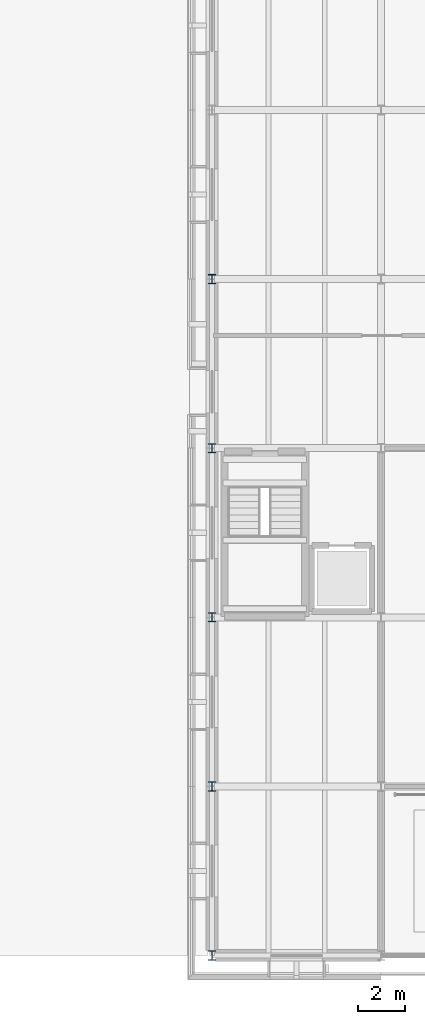
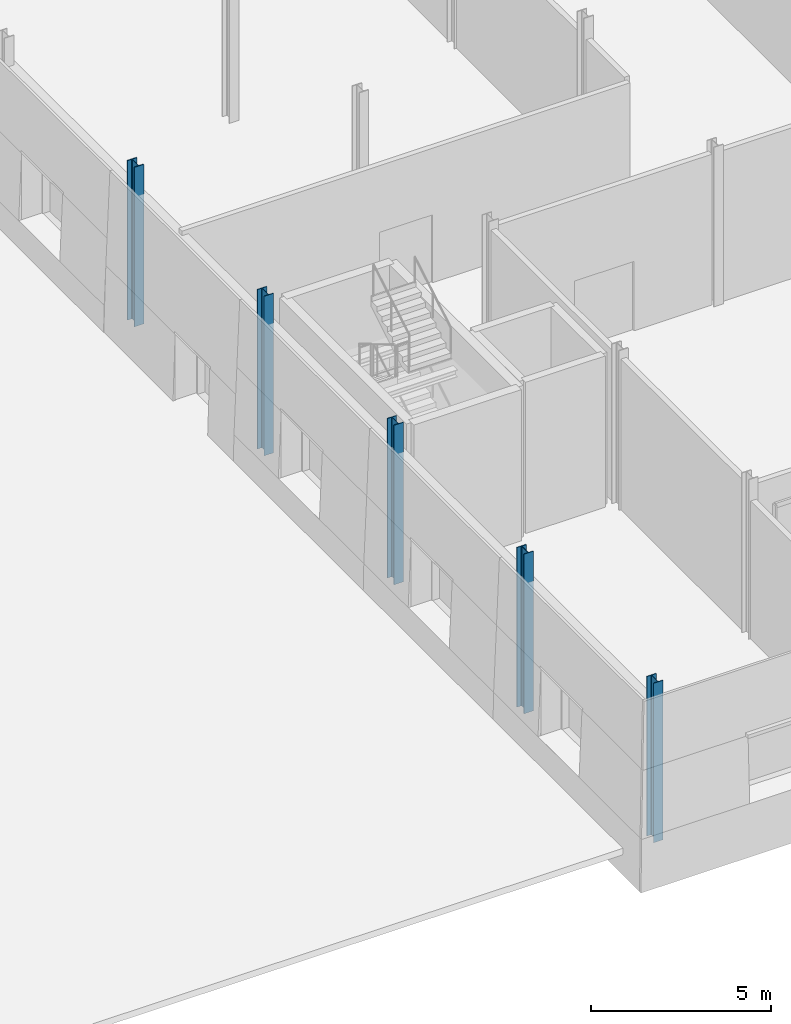
# One storey, part 5 of 120: 5 columns.
"""IFC4 building model written with IfcOpenShell, lengths in metres."""

import ifcopenshell
import ifcopenshell.guid

model = None  # the IFC model being written
_history = None  # IfcOwnerHistory: only IFC2X3 demands one
_inside = {}  # id of a spatial element -> (the spatial element, [elements in it])
_under = {}  # id of a project, library or spatial element -> (it, [spatial elements below it])
_declared = {}  # id of a project -> (the project, [libraries it declares])
_typed = {}  # id of a type object -> (the type object, [elements of that type])
_made_of = {}  # id of a material, layer set ... -> (it, [elements and type objects made of it])


def new_model(schema):
    """Start an empty IFC model of exactly this schema.

    Asked for "IFC4X3", IfcOpenShell would pick the latest addendum, in which some entities
    have other attributes; the version numbers below select the first issue.
    IFC2X3 requires an IfcOwnerHistory on every rooted entity: one is made here for all.
    """
    global model, _history
    if schema == "IFC4X3":
        model = ifcopenshell.file(schema_version=(4, 3, 0, 0))
    else:
        model = ifcopenshell.file(schema=schema)
    _inside.clear()
    _under.clear()
    _declared.clear()
    _typed.clear()
    _made_of.clear()
    _history = None
    if model.schema == "IFC2X3":
        org = make("IfcOrganization", Name="unknown")
        user = make(
            "IfcPersonAndOrganization",
            ThePerson=make("IfcPerson", FamilyName="unknown"),
            TheOrganization=org,
        )
        app = make(
            "IfcApplication",
            ApplicationDeveloper=org,
            Version="unknown",
            ApplicationFullName="unknown",
            ApplicationIdentifier="unknown",
        )
        _history = make(
            "IfcOwnerHistory",
            OwningUser=user,
            OwningApplication=app,
            ChangeAction="ADDED",
            CreationDate=0,
        )
    return model


def make(cls, **values):
    """One entity of the class cls with the attributes given. An attribute that is None is left unset."""
    return model.create_entity(
        cls, **{name: value for name, value in values.items() if value is not None}
    )


def rooted(cls, **values):
    """An entity with a GlobalId (a new one), such as an element, a storey or a relation."""
    return make(cls, GlobalId=ifcopenshell.guid.new(), OwnerHistory=_history, **values)


def si_unit(unit_type, name, prefix=None):
    """IfcSIUnit, for example si_unit("LENGTHUNIT", "METRE", prefix="MILLI")."""
    return make("IfcSIUnit", UnitType=unit_type, Prefix=prefix, Name=name)


def assignment(units):
    """IfcUnitAssignment: the units of a project."""
    return None if units is None else make("IfcUnitAssignment", Units=units)


def point(xyz):
    """IfcCartesianPoint."""
    return None if xyz is None else make("IfcCartesianPoint", Coordinates=xyz)


def direction(xyz):
    """IfcDirection."""
    return None if xyz is None else make("IfcDirection", DirectionRatios=xyz)


def frame(location, z_axis=None, x_axis=None):
    """IfcAxis2Placement3D, a coordinate frame: its origin and axes. An axis left out is left unset."""
    return make(
        "IfcAxis2Placement3D",
        Location=point(location),
        Axis=direction(z_axis),
        RefDirection=direction(x_axis),
    )


def frame_2d(location, x_axis=None):
    """IfcAxis2Placement2D, a coordinate frame in the plane: its origin and x axis."""
    return make(
        "IfcAxis2Placement2D", Location=point(location), RefDirection=direction(x_axis)
    )


def origin():
    """The frame at (0, 0, 0) with its axes left unset."""
    return frame((0.0, 0.0, 0.0))


def origin_2d():
    """The frame at (0, 0) in the plane with its x axis left unset."""
    return frame_2d((0.0, 0.0))


def place(relative_to, where):
    """IfcLocalPlacement: puts the frame where relative to a parent placement (None: the world)."""
    return make(
        "IfcLocalPlacement", PlacementRelTo=relative_to, RelativePlacement=where
    )


def context(
    kind, dimensions, precision=None, world=None, true_north=None, identifier=None
):
    """IfcGeometricRepresentationContext, for example the 3D "Model" context."""
    return make(
        "IfcGeometricRepresentationContext",
        ContextIdentifier=identifier,
        ContextType=kind,
        CoordinateSpaceDimension=dimensions,
        Precision=precision,
        WorldCoordinateSystem=world,
        TrueNorth=true_north,
    )


def subcontext(parent, identifier, kind, view, scale=None):
    """IfcGeometricRepresentationSubContext, for example "Body" below "Model"."""
    return make(
        "IfcGeometricRepresentationSubContext",
        ContextIdentifier=identifier,
        ContextType=kind,
        ParentContext=parent,
        TargetScale=scale,
        TargetView=view,
    )


def project(units=None, contexts=None):
    """IfcProject with its units and contexts."""
    return rooted(
        "IfcProject",
        Name="project",
        RepresentationContexts=contexts,
        UnitsInContext=assignment(units),
    )


def spatial(cls, under=None, at=None, **own):
    """A site, building, storey or space (cls), placed at a placement, below another one or the project."""
    s = rooted(cls, ObjectPlacement=at, **own)
    if under is not None:
        _under.setdefault(under.id(), (under, []))[1].append(s)
    return s


def profile(cls, at=None, kind="AREA", **sizes):
    """A parametric profile (cls). Its sizes go by their IFC names, for example OverallWidth=200.0."""
    return make(cls, ProfileType=kind, Position=at, **sizes)


def i_section(**sizes):
    """IfcIShapeProfileDef."""
    return profile("IfcIShapeProfileDef", **sizes)


def extrude(swept, where, along, depth):
    """IfcExtrudedAreaSolid: the profile swept, set in the frame where, extruded along a direction by depth."""
    return make(
        "IfcExtrudedAreaSolid",
        SweptArea=swept,
        Position=where,
        ExtrudedDirection=direction(along),
        Depth=depth,
    )


def shape(context_of_items, identifier, shape_type, items):
    """IfcShapeRepresentation: the items that make up one representation, for example the "Body"."""
    return make(
        "IfcShapeRepresentation",
        ContextOfItems=context_of_items,
        RepresentationIdentifier=identifier,
        RepresentationType=shape_type,
        Items=items,
    )


def material(Name=None, Category=None):
    """IfcMaterial."""
    return make("IfcMaterial", Name=Name, Category=Category)


def material_profile(
    of_material, cross_section, Name=None, Category=None, Priority=None
):
    """IfcMaterialProfile: a cross section and its material."""
    return make(
        "IfcMaterialProfile",
        Name=Name,
        Material=of_material,
        Profile=cross_section,
        Priority=Priority,
        Category=Category,
    )


def profile_set(profiles, Name=None, composite=None):
    """IfcMaterialProfileSet."""
    return make(
        "IfcMaterialProfileSet",
        Name=Name,
        MaterialProfiles=profiles,
        CompositeProfile=composite,
    )


def made_of(thing, what):
    """Note that an element or type object is made of a material, layer set ...; save() writes the relation."""
    if what is not None:
        _made_of.setdefault(what.id(), (what, []))[1].append(thing)
    return thing


def type_object(cls, material=None, **own):
    """A type object (cls), such as IfcWallType, which elements share."""
    return made_of(rooted(cls, **own), material)


def element(
    cls,
    number,
    at=None,
    inside=None,
    cuts=None,
    type_object=None,
    material=None,
    context=None,
    identifier="Body",
    shape_type=None,
    held_by="IfcProductDefinitionShape",
    body=None,
    shapes=None,
    **own,
):
    """One element of the class cls, such as IfcWall. Its Tag is "e" and its number.

    at: its placement. inside: the storey or other place that contains it. cuts: it is an
    opening in that element (IfcRelVoidsElement). A single representation is given by context,
    identifier, shape_type and body (its items); several are given by shapes. held_by: the class
    of the entity that holds the representations. save() writes the other relations.
    """
    e = rooted(cls, Tag="e%d" % number, ObjectPlacement=at, **own)
    if body is not None:
        shapes = [shape(context, identifier, shape_type, body)]
    if shapes is not None:
        e.Representation = make(held_by, Representations=shapes)
    if inside is not None:
        _inside.setdefault(inside.id(), (inside, []))[1].append(e)
    if cuts is not None:
        rooted(
            "IfcRelVoidsElement", RelatingBuildingElement=cuts, RelatedOpeningElement=e
        )
    if type_object is not None:
        _typed.setdefault(type_object.id(), (type_object, []))[1].append(e)
    return made_of(e, material)


def aggregate(whole, parts):
    """IfcRelAggregates: a whole, such as a stair, and the parts it consists of."""
    return rooted("IfcRelAggregates", RelatingObject=whole, RelatedObjects=parts)


def save(model, path):
    """Write the relations noted so far, then the file.

    IfcRelAggregates (storeys below a building ...), IfcRelContainedInSpatialStructure (elements
    in a storey), IfcRelDefinesByType, IfcRelAssociatesMaterial and IfcRelDeclares: one each for
    every whole, place, type object, material and project.
    """
    for whole, parts in _under.values():
        aggregate(whole, parts)
    for where, things in _inside.values():
        rooted(
            "IfcRelContainedInSpatialStructure",
            RelatedElements=things,
            RelatingStructure=where,
        )
    for kind, things in _typed.values():
        rooted("IfcRelDefinesByType", RelatedObjects=things, RelatingType=kind)
    for what, things in _made_of.values():
        rooted("IfcRelAssociatesMaterial", RelatedObjects=things, RelatingMaterial=what)
    for by, libraries in _declared.values():
        rooted("IfcRelDeclares", RelatingContext=by, RelatedDefinitions=libraries)
    model.write(path)


model = new_model("IFC4")

# Units and contexts
model_context = context("Model", 3, precision=1e-05, world=origin(), true_north=direction((0.0, 1.0)))
body_context = subcontext(model_context, "Body", "Model", "MODEL_VIEW")
ifc_project = project(units=[si_unit("LENGTHUNIT", "METRE"), si_unit("AREAUNIT", "SQUARE_METRE"), si_unit("VOLUMEUNIT", "CUBIC_METRE"), si_unit("PLANEANGLEUNIT", "RADIAN"), si_unit("MASSUNIT", "GRAM", prefix="KILO")], contexts=[model_context])

# Site, building, storey
site_placement = place(None, origin())
site = spatial("IfcSite", under=ifc_project, at=site_placement, CompositionType="ELEMENT")
building_placement = place(site_placement, origin())
building = spatial("IfcBuilding", under=site, at=building_placement, Name="Narikvali Park Central Library", CompositionType="ELEMENT")
storey_placement = place(building_placement, origin())
storey = spatial("IfcBuildingStorey", under=building, at=storey_placement, Name="L00", CompositionType="ELEMENT", Elevation=0.0)

# Columns
ifc_material = material(Name="Steel S355", Category="steel")
ifc_material_profile = material_profile(ifc_material, i_section(OverallWidth=0.300048828125, OverallDepth=0.39990234375, WebThickness=0.013427734375, FlangeThickness=0.02392578125, FilletRadius=0.027099609375, at=origin_2d()), Name="HEB 400")
ifc_profile_set = profile_set([ifc_material_profile], Name="Steel S355")
column_type = type_object("IfcColumnType", Name="Steel Column HEB400", PredefinedType="COLUMN", material=ifc_profile_set)
for number, where, z_axis, x_axis, name in (
    (1, (122.39990234375, 0.0, 0.0), (0.0, 0.0, 1.0), (1.0, 0.0, 0.0), "V6 L00 Column (122.4,0.0)"),
    (2, (122.39990234375, 7.199951171875, 0.0), (0.0, 0.0, 1.0), (1.0, 0.0, 0.0), "V6 L00 Column (122.4,7.2)"),
    (3, (122.39990234375, 14.39990234375, 0.0), (0.0, 0.0, 1.0), (1.0, 0.0, 0.0), "V6 L00 Column (122.4,14.4)"),
    (4, (122.39990234375, 21.60009765625, 0.0), (0.0, 0.0, 1.0), (1.0, 0.0, 0.0), "V6 L00 Column (122.4,21.6)"),
    (5, (122.39990234375, 28.800048828125, 0.0), (0.0, 0.0, 1.0), (1.0, 0.0, 0.0), "V6 L00 Column (122.4,28.8)"),
):
    element("IfcColumn", number, at=place(storey_placement, frame(where, z_axis=z_axis, x_axis=x_axis)), inside=storey, type_object=column_type, Name=name, PredefinedType="COLUMN", context=body_context, shape_type="SweptSolid", body=[
        extrude(i_section(OverallWidth=0.300048828125, OverallDepth=0.39990234375, WebThickness=0.013427734375, FlangeThickness=0.02392578125, FilletRadius=0.027099609375, at=origin_2d()), origin(), (0.0, 0.0, 1.0), 5.39990234375),
    ])

save(model, "model.ifc")
